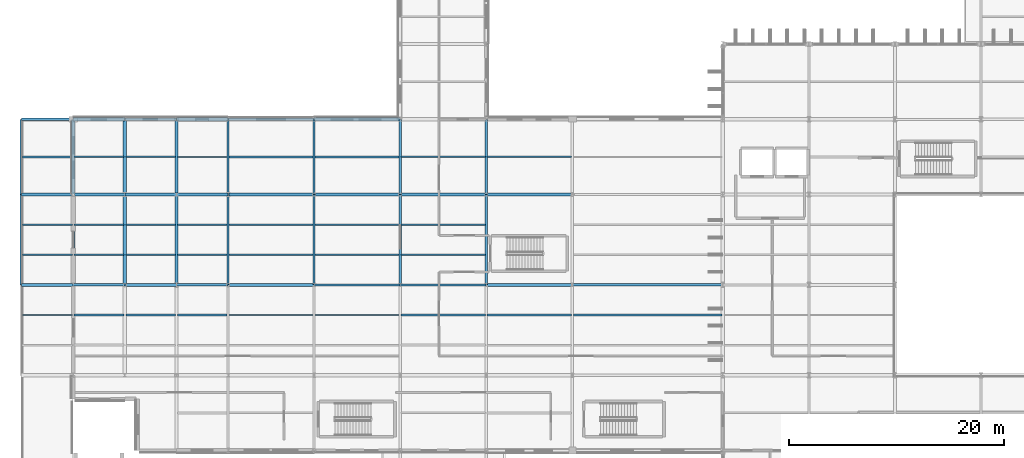
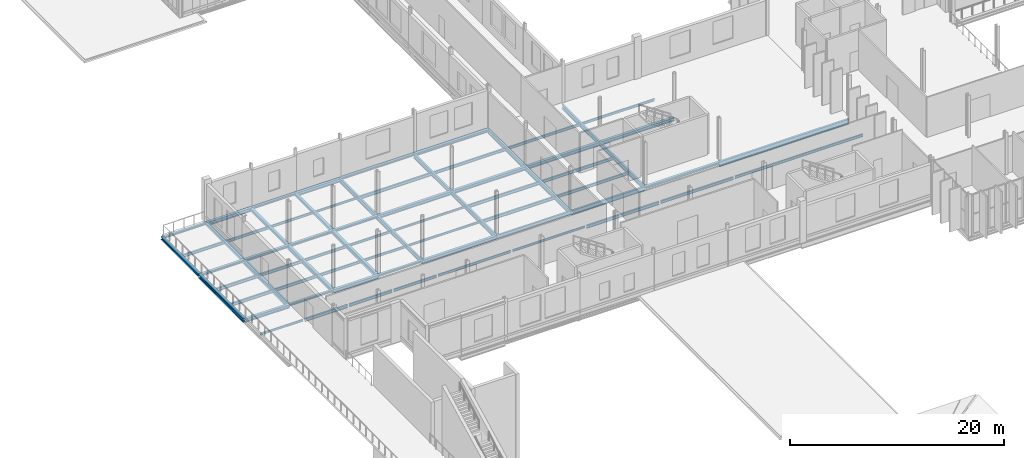
# One storey, part 35 of 120: 70 beams.
"""IFC4 building model written with IfcOpenShell, lengths in metres."""

import ifcopenshell
import ifcopenshell.guid

model = None  # the IFC model being written
_history = None  # IfcOwnerHistory: only IFC2X3 demands one
_inside = {}  # id of a spatial element -> (the spatial element, [elements in it])
_under = {}  # id of a project, library or spatial element -> (it, [spatial elements below it])
_declared = {}  # id of a project -> (the project, [libraries it declares])
_typed = {}  # id of a type object -> (the type object, [elements of that type])
_made_of = {}  # id of a material, layer set ... -> (it, [elements and type objects made of it])


def new_model(schema):
    """Start an empty IFC model of exactly this schema.

    Asked for "IFC4X3", IfcOpenShell would pick the latest addendum, in which some entities
    have other attributes; the version numbers below select the first issue.
    IFC2X3 requires an IfcOwnerHistory on every rooted entity: one is made here for all.
    """
    global model, _history
    if schema == "IFC4X3":
        model = ifcopenshell.file(schema_version=(4, 3, 0, 0))
    else:
        model = ifcopenshell.file(schema=schema)
    _inside.clear()
    _under.clear()
    _declared.clear()
    _typed.clear()
    _made_of.clear()
    _history = None
    if model.schema == "IFC2X3":
        org = make("IfcOrganization", Name="unknown")
        user = make(
            "IfcPersonAndOrganization",
            ThePerson=make("IfcPerson", FamilyName="unknown"),
            TheOrganization=org,
        )
        app = make(
            "IfcApplication",
            ApplicationDeveloper=org,
            Version="unknown",
            ApplicationFullName="unknown",
            ApplicationIdentifier="unknown",
        )
        _history = make(
            "IfcOwnerHistory",
            OwningUser=user,
            OwningApplication=app,
            ChangeAction="ADDED",
            CreationDate=0,
        )
    return model


def make(cls, **values):
    """One entity of the class cls with the attributes given. An attribute that is None is left unset."""
    return model.create_entity(
        cls, **{name: value for name, value in values.items() if value is not None}
    )


def rooted(cls, **values):
    """An entity with a GlobalId (a new one), such as an element, a storey or a relation."""
    return make(cls, GlobalId=ifcopenshell.guid.new(), OwnerHistory=_history, **values)


def si_unit(unit_type, name, prefix=None):
    """IfcSIUnit, for example si_unit("LENGTHUNIT", "METRE", prefix="MILLI")."""
    return make("IfcSIUnit", UnitType=unit_type, Prefix=prefix, Name=name)


def assignment(units):
    """IfcUnitAssignment: the units of a project."""
    return None if units is None else make("IfcUnitAssignment", Units=units)


def point(xyz):
    """IfcCartesianPoint."""
    return None if xyz is None else make("IfcCartesianPoint", Coordinates=xyz)


def direction(xyz):
    """IfcDirection."""
    return None if xyz is None else make("IfcDirection", DirectionRatios=xyz)


def frame(location, z_axis=None, x_axis=None):
    """IfcAxis2Placement3D, a coordinate frame: its origin and axes. An axis left out is left unset."""
    return make(
        "IfcAxis2Placement3D",
        Location=point(location),
        Axis=direction(z_axis),
        RefDirection=direction(x_axis),
    )


def frame_2d(location, x_axis=None):
    """IfcAxis2Placement2D, a coordinate frame in the plane: its origin and x axis."""
    return make(
        "IfcAxis2Placement2D", Location=point(location), RefDirection=direction(x_axis)
    )


def origin():
    """The frame at (0, 0, 0) with its axes left unset."""
    return frame((0.0, 0.0, 0.0))


def origin_2d():
    """The frame at (0, 0) in the plane with its x axis left unset."""
    return frame_2d((0.0, 0.0))


def place(relative_to, where):
    """IfcLocalPlacement: puts the frame where relative to a parent placement (None: the world)."""
    return make(
        "IfcLocalPlacement", PlacementRelTo=relative_to, RelativePlacement=where
    )


def context(
    kind, dimensions, precision=None, world=None, true_north=None, identifier=None
):
    """IfcGeometricRepresentationContext, for example the 3D "Model" context."""
    return make(
        "IfcGeometricRepresentationContext",
        ContextIdentifier=identifier,
        ContextType=kind,
        CoordinateSpaceDimension=dimensions,
        Precision=precision,
        WorldCoordinateSystem=world,
        TrueNorth=true_north,
    )


def subcontext(parent, identifier, kind, view, scale=None):
    """IfcGeometricRepresentationSubContext, for example "Body" below "Model"."""
    return make(
        "IfcGeometricRepresentationSubContext",
        ContextIdentifier=identifier,
        ContextType=kind,
        ParentContext=parent,
        TargetScale=scale,
        TargetView=view,
    )


def project(units=None, contexts=None):
    """IfcProject with its units and contexts."""
    return rooted(
        "IfcProject",
        Name="project",
        RepresentationContexts=contexts,
        UnitsInContext=assignment(units),
    )


def spatial(cls, under=None, at=None, **own):
    """A site, building, storey or space (cls), placed at a placement, below another one or the project."""
    s = rooted(cls, ObjectPlacement=at, **own)
    if under is not None:
        _under.setdefault(under.id(), (under, []))[1].append(s)
    return s


def profile(cls, at=None, kind="AREA", **sizes):
    """A parametric profile (cls). Its sizes go by their IFC names, for example OverallWidth=200.0."""
    return make(cls, ProfileType=kind, Position=at, **sizes)


def i_section(**sizes):
    """IfcIShapeProfileDef."""
    return profile("IfcIShapeProfileDef", **sizes)


def extrude(swept, where, along, depth):
    """IfcExtrudedAreaSolid: the profile swept, set in the frame where, extruded along a direction by depth."""
    return make(
        "IfcExtrudedAreaSolid",
        SweptArea=swept,
        Position=where,
        ExtrudedDirection=direction(along),
        Depth=depth,
    )


def shape(context_of_items, identifier, shape_type, items):
    """IfcShapeRepresentation: the items that make up one representation, for example the "Body"."""
    return make(
        "IfcShapeRepresentation",
        ContextOfItems=context_of_items,
        RepresentationIdentifier=identifier,
        RepresentationType=shape_type,
        Items=items,
    )


def material(Name=None, Category=None):
    """IfcMaterial."""
    return make("IfcMaterial", Name=Name, Category=Category)


def material_profile(
    of_material, cross_section, Name=None, Category=None, Priority=None
):
    """IfcMaterialProfile: a cross section and its material."""
    return make(
        "IfcMaterialProfile",
        Name=Name,
        Material=of_material,
        Profile=cross_section,
        Priority=Priority,
        Category=Category,
    )


def profile_set(profiles, Name=None, composite=None):
    """IfcMaterialProfileSet."""
    return make(
        "IfcMaterialProfileSet",
        Name=Name,
        MaterialProfiles=profiles,
        CompositeProfile=composite,
    )


def made_of(thing, what):
    """Note that an element or type object is made of a material, layer set ...; save() writes the relation."""
    if what is not None:
        _made_of.setdefault(what.id(), (what, []))[1].append(thing)
    return thing


def type_object(cls, material=None, **own):
    """A type object (cls), such as IfcWallType, which elements share."""
    return made_of(rooted(cls, **own), material)


def element(
    cls,
    number,
    at=None,
    inside=None,
    cuts=None,
    type_object=None,
    material=None,
    context=None,
    identifier="Body",
    shape_type=None,
    held_by="IfcProductDefinitionShape",
    body=None,
    shapes=None,
    **own,
):
    """One element of the class cls, such as IfcWall. Its Tag is "e" and its number.

    at: its placement. inside: the storey or other place that contains it. cuts: it is an
    opening in that element (IfcRelVoidsElement). A single representation is given by context,
    identifier, shape_type and body (its items); several are given by shapes. held_by: the class
    of the entity that holds the representations. save() writes the other relations.
    """
    e = rooted(cls, Tag="e%d" % number, ObjectPlacement=at, **own)
    if body is not None:
        shapes = [shape(context, identifier, shape_type, body)]
    if shapes is not None:
        e.Representation = make(held_by, Representations=shapes)
    if inside is not None:
        _inside.setdefault(inside.id(), (inside, []))[1].append(e)
    if cuts is not None:
        rooted(
            "IfcRelVoidsElement", RelatingBuildingElement=cuts, RelatedOpeningElement=e
        )
    if type_object is not None:
        _typed.setdefault(type_object.id(), (type_object, []))[1].append(e)
    return made_of(e, material)


def aggregate(whole, parts):
    """IfcRelAggregates: a whole, such as a stair, and the parts it consists of."""
    return rooted("IfcRelAggregates", RelatingObject=whole, RelatedObjects=parts)


def save(model, path):
    """Write the relations noted so far, then the file.

    IfcRelAggregates (storeys below a building ...), IfcRelContainedInSpatialStructure (elements
    in a storey), IfcRelDefinesByType, IfcRelAssociatesMaterial and IfcRelDeclares: one each for
    every whole, place, type object, material and project.
    """
    for whole, parts in _under.values():
        aggregate(whole, parts)
    for where, things in _inside.values():
        rooted(
            "IfcRelContainedInSpatialStructure",
            RelatedElements=things,
            RelatingStructure=where,
        )
    for kind, things in _typed.values():
        rooted("IfcRelDefinesByType", RelatedObjects=things, RelatingType=kind)
    for what, things in _made_of.values():
        rooted("IfcRelAssociatesMaterial", RelatedObjects=things, RelatingMaterial=what)
    for by, libraries in _declared.values():
        rooted("IfcRelDeclares", RelatingContext=by, RelatedDefinitions=libraries)
    model.write(path)


model = new_model("IFC4")

# Units and contexts
model_context = context("Model", 3, precision=1e-05, world=origin(), true_north=direction((0.0, 1.0)))
body_context = subcontext(model_context, "Body", "Model", "MODEL_VIEW")
ifc_project = project(units=[si_unit("LENGTHUNIT", "METRE"), si_unit("AREAUNIT", "SQUARE_METRE"), si_unit("VOLUMEUNIT", "CUBIC_METRE"), si_unit("PLANEANGLEUNIT", "RADIAN"), si_unit("MASSUNIT", "GRAM", prefix="KILO")], contexts=[model_context])

# Site, building, storey
site_placement = place(None, origin())
site = spatial("IfcSite", under=ifc_project, at=site_placement, CompositionType="ELEMENT")
building_placement = place(site_placement, origin())
building = spatial("IfcBuilding", under=site, at=building_placement, Name="Vekula Escarpment Museum", CompositionType="ELEMENT")
storey_placement = place(building_placement, frame((0.0, 0.0, 13.199951171875)))
storey = spatial("IfcBuildingStorey", under=building, at=storey_placement, Name="L03", CompositionType="ELEMENT", Elevation=13.199951171875)

# Beams
ifc_material_1 = material(Name="Steel S355", Category="steel")
ifc_material_profile_1 = material_profile(ifc_material_1, i_section(OverallWidth=0.280029296875, OverallDepth=0.280029296875, WebThickness=0.010498046875, FlangeThickness=0.01806640625, FilletRadius=0.02392578125, at=origin_2d()), Name="HEB 280")
ifc_profile_set_1 = profile_set([ifc_material_profile_1], Name="Steel S355")
beam_type_1 = type_object("IfcBeamType", Name="BM-GIRD-HEB280", PredefinedType="BEAM", material=ifc_profile_set_1)
beam_1_placement = place(storey_placement, frame((48.0, 68.0, -0.389892578125), z_axis=(1.0, 0.0, 0.0), x_axis=(0.0, 1.0, 0.0)))
element("IfcBeam", 1, at=beam_1_placement, inside=storey, type_object=beam_type_1, Name="Beam X L03 1363", PredefinedType="BEAM", context=body_context, shape_type="SweptSolid", body=[
    extrude(i_section(OverallWidth=0.280029296875, OverallDepth=0.280029296875, WebThickness=0.010498046875, FlangeThickness=0.01806640625, FilletRadius=0.02392578125, at=origin_2d()), origin(), (0.0, 0.0, 1.0), 8.0),
])
ifc_material_2 = material(Name="Steel S355", Category="steel")
ifc_material_profile_2 = material_profile(ifc_material_2, i_section(OverallWidth=0.300048828125, OverallDepth=0.300048828125, WebThickness=0.010986328125, FlangeThickness=0.01904296875, FilletRadius=0.027099609375, at=origin_2d()), Name="HEB 300")
ifc_profile_set_2 = profile_set([ifc_material_profile_2], Name="Steel S355")
beam_type_2 = type_object("IfcBeamType", Name="BM-GIRD-HEB300", PredefinedType="BEAM", material=ifc_profile_set_2)
beam_2_placement = place(storey_placement, frame((32.0, 83.39990234375, -0.39990234375), z_axis=(1.0, 0.0, 0.0), x_axis=(0.0, 1.0, 0.0)))
element("IfcBeam", 2, at=beam_2_placement, inside=storey, type_object=beam_type_2, Name="Beam X L03 1402", PredefinedType="BEAM", context=body_context, shape_type="SweptSolid", body=[
    extrude(i_section(OverallWidth=0.300048828125, OverallDepth=0.300048828125, WebThickness=0.010986328125, FlangeThickness=0.01904296875, FilletRadius=0.027099609375, at=origin_2d()), origin(), (0.0, 0.0, 1.0), 8.0),
])
ifc_material_3 = material(Name="Steel S355", Category="steel")
ifc_material_profile_3 = material_profile(ifc_material_3, i_section(OverallWidth=0.300048828125, OverallDepth=0.39990234375, WebThickness=0.013427734375, FlangeThickness=0.02392578125, FilletRadius=0.027099609375, at=origin_2d()), Name="HEB 400")
ifc_profile_set_3 = profile_set([ifc_material_profile_3], Name="Steel S355")
beam_type_3 = type_object("IfcBeamType", Name="BM-GIRD-HEB400", PredefinedType="BEAM", material=ifc_profile_set_3)
for number, where, z_axis, x_axis, name in (
    (3, (4.800048828125, 68.0, -0.449951171875), (1.0, 0.0, 0.0), (0.0, 1.0, 0.0), "Beam X L03 1356"),
    (4, (14.39990234375, 68.0, -0.449951171875), (1.0, 0.0, 0.0), (0.0, 1.0, 0.0), "Beam X L03 1358"),
):
    element("IfcBeam", number, at=place(storey_placement, frame(where, z_axis=z_axis, x_axis=x_axis)), inside=storey, type_object=beam_type_3, Name=name, PredefinedType="BEAM", context=body_context, shape_type="SweptSolid", body=[
        extrude(i_section(OverallWidth=0.300048828125, OverallDepth=0.39990234375, WebThickness=0.013427734375, FlangeThickness=0.02392578125, FilletRadius=0.027099609375, at=origin_2d()), origin(), (0.0, 0.0, 1.0), 4.800048828125),
    ])
beam_3_placement = place(storey_placement, frame((24.0, 68.0, -0.449951171875), z_axis=(1.0, 0.0, 0.0), x_axis=(0.0, 1.0, 0.0)))
element("IfcBeam", 5, at=beam_3_placement, inside=storey, type_object=beam_type_3, Name="Beam X L03 1360", PredefinedType="BEAM", context=body_context, shape_type="SweptSolid", body=[
    extrude(i_section(OverallWidth=0.300048828125, OverallDepth=0.39990234375, WebThickness=0.013427734375, FlangeThickness=0.02392578125, FilletRadius=0.027099609375, at=origin_2d()), origin(), (0.0, 0.0, 1.0), 8.0),
])
beam_4_placement = place(storey_placement, frame((9.60009765625, 83.39990234375, -0.449951171875), z_axis=(1.0, 0.0, 0.0), x_axis=(0.0, 1.0, 0.0)))
element("IfcBeam", 6, at=beam_4_placement, inside=storey, type_object=beam_type_3, Name="Beam X L03 1398", PredefinedType="BEAM", context=body_context, shape_type="SweptSolid", body=[
    extrude(i_section(OverallWidth=0.300048828125, OverallDepth=0.39990234375, WebThickness=0.013427734375, FlangeThickness=0.02392578125, FilletRadius=0.027099609375, at=origin_2d()), origin(), (0.0, 0.0, 1.0), 4.7998046875),
])
beam_5_placement = place(storey_placement, frame((19.199951171875, 83.39990234375, -0.449951171875), z_axis=(1.0, 0.0, 0.0), x_axis=(0.0, 1.0, 0.0)))
element("IfcBeam", 7, at=beam_5_placement, inside=storey, type_object=beam_type_3, Name="Beam X L03 1400", PredefinedType="BEAM", context=body_context, shape_type="SweptSolid", body=[
    extrude(i_section(OverallWidth=0.300048828125, OverallDepth=0.39990234375, WebThickness=0.013427734375, FlangeThickness=0.02392578125, FilletRadius=0.027099609375, at=origin_2d()), origin(), (0.0, 0.0, 1.0), 4.800048828125),
])
ifc_material_4 = material(Name="Steel S355", Category="steel")
ifc_material_profile_4 = material_profile(ifc_material_4, i_section(OverallWidth=0.179931640625, OverallDepth=0.39990234375, WebThickness=0.008544921875, FlangeThickness=0.013427734375, FilletRadius=0.02099609375, at=origin_2d()), Name="IPE 400")
ifc_profile_set_4 = profile_set([ifc_material_profile_4], Name="Steel S355")
beam_type_4 = type_object("IfcBeamType", Name="BM-GIRD-IPE400", PredefinedType="BEAM", material=ifc_profile_set_4)
beam_6_placement = place(storey_placement, frame((32.0, 68.0, -0.449951171875), z_axis=(1.0, 0.0, 0.0), x_axis=(0.0, 1.0, 0.0)))
element("IfcBeam", 8, at=beam_6_placement, inside=storey, type_object=beam_type_4, Name="Beam X L03 1361", PredefinedType="BEAM", context=body_context, shape_type="SweptSolid", body=[
    extrude(i_section(OverallWidth=0.179931640625, OverallDepth=0.39990234375, WebThickness=0.008544921875, FlangeThickness=0.013427734375, FilletRadius=0.02099609375, at=origin_2d()), origin(), (0.0, 0.0, 1.0), 8.0),
])
ifc_material_5 = material(Name="Steel S355", Category="steel")
ifc_material_profile_5 = material_profile(ifc_material_5, i_section(OverallWidth=0.199951171875, OverallDepth=0.5, WebThickness=0.01025390625, FlangeThickness=0.01611328125, FilletRadius=0.02099609375, at=origin_2d()), Name="IPE 500")
ifc_profile_set_5 = profile_set([ifc_material_profile_5], Name="Steel S355")
beam_type_5 = type_object("IfcBeamType", Name="BM-GIRD-IPE500", PredefinedType="BEAM", material=ifc_profile_set_5)
beam_7_placement = place(storey_placement, frame((40.0, 68.0, -0.5), z_axis=(1.0, 0.0, 0.0), x_axis=(0.0, 1.0, 0.0)))
element("IfcBeam", 9, at=beam_7_placement, inside=storey, type_object=beam_type_5, Name="Beam X L03 1362", PredefinedType="BEAM", context=body_context, shape_type="SweptSolid", body=[
    extrude(i_section(OverallWidth=0.199951171875, OverallDepth=0.5, WebThickness=0.01025390625, FlangeThickness=0.01611328125, FilletRadius=0.02099609375, at=origin_2d()), origin(), (0.0, 0.0, 1.0), 8.0),
])
beam_8_placement = place(storey_placement, frame((24.0, 68.0, -0.5), z_axis=(0.0, 1.0, 0.0), x_axis=(-1.0, 0.0, 0.0)))
element("IfcBeam", 10, at=beam_8_placement, inside=storey, type_object=beam_type_5, Name="Beam Y L03 1497", PredefinedType="BEAM", context=body_context, shape_type="SweptSolid", body=[
    extrude(i_section(OverallWidth=0.199951171875, OverallDepth=0.5, WebThickness=0.01025390625, FlangeThickness=0.01611328125, FilletRadius=0.02099609375, at=origin_2d()), origin(), (0.0, 0.0, 1.0), 8.39990234375),
])
beam_9_placement = place(storey_placement, frame((24.0, 76.39990234375, -0.5), z_axis=(0.0, 1.0, 0.0), x_axis=(-1.0, 0.0, 0.0)))
element("IfcBeam", 11, at=beam_9_placement, inside=storey, type_object=beam_type_5, Name="Beam Y L03 1498", PredefinedType="BEAM", context=body_context, shape_type="SweptSolid", body=[
    extrude(i_section(OverallWidth=0.199951171875, OverallDepth=0.5, WebThickness=0.01025390625, FlangeThickness=0.01611328125, FilletRadius=0.02099609375, at=origin_2d()), origin(), (0.0, 0.0, 1.0), 7.0),
])
beam_10_placement = place(storey_placement, frame((32.0, 68.0, -0.5), z_axis=(0.0, 1.0, 0.0), x_axis=(-1.0, 0.0, 0.0)))
element("IfcBeam", 12, at=beam_10_placement, inside=storey, type_object=beam_type_5, Name="Beam Y L03 1507", PredefinedType="BEAM", context=body_context, shape_type="SweptSolid", body=[
    extrude(i_section(OverallWidth=0.199951171875, OverallDepth=0.5, WebThickness=0.01025390625, FlangeThickness=0.01611328125, FilletRadius=0.02099609375, at=origin_2d()), origin(), (0.0, 0.0, 1.0), 8.39990234375),
])
beam_11_placement = place(storey_placement, frame((32.0, 76.39990234375, -0.5), z_axis=(0.0, 1.0, 0.0), x_axis=(-1.0, 0.0, 0.0)))
element("IfcBeam", 13, at=beam_11_placement, inside=storey, type_object=beam_type_5, Name="Beam Y L03 1508", PredefinedType="BEAM", context=body_context, shape_type="SweptSolid", body=[
    extrude(i_section(OverallWidth=0.199951171875, OverallDepth=0.5, WebThickness=0.01025390625, FlangeThickness=0.01611328125, FilletRadius=0.02099609375, at=origin_2d()), origin(), (0.0, 0.0, 1.0), 7.0),
])
beam_12_placement = place(storey_placement, frame((40.0, 68.0, -0.5), z_axis=(0.0, 1.0, 0.0), x_axis=(-1.0, 0.0, 0.0)))
element("IfcBeam", 14, at=beam_12_placement, inside=storey, type_object=beam_type_5, Name="Beam Y L03 1520", PredefinedType="BEAM", context=body_context, shape_type="SweptSolid", body=[
    extrude(i_section(OverallWidth=0.199951171875, OverallDepth=0.5, WebThickness=0.01025390625, FlangeThickness=0.01611328125, FilletRadius=0.02099609375, at=origin_2d()), origin(), (0.0, 0.0, 1.0), 8.39990234375),
])
beam_13_placement = place(storey_placement, frame((40.0, 76.39990234375, -0.5), z_axis=(0.0, 1.0, 0.0), x_axis=(-1.0, 0.0, 0.0)))
element("IfcBeam", 15, at=beam_13_placement, inside=storey, type_object=beam_type_5, Name="Beam Y L03 1521", PredefinedType="BEAM", context=body_context, shape_type="SweptSolid", body=[
    extrude(i_section(OverallWidth=0.199951171875, OverallDepth=0.5, WebThickness=0.01025390625, FlangeThickness=0.01611328125, FilletRadius=0.02099609375, at=origin_2d()), origin(), (0.0, 0.0, 1.0), 7.0),
])
beam_14_placement = place(storey_placement, frame((48.0, 68.0, -0.5), z_axis=(0.0, 1.0, 0.0), x_axis=(-1.0, 0.0, 0.0)))
element("IfcBeam", 16, at=beam_14_placement, inside=storey, type_object=beam_type_5, Name="Beam Y L03 1538", PredefinedType="BEAM", context=body_context, shape_type="SweptSolid", body=[
    extrude(i_section(OverallWidth=0.199951171875, OverallDepth=0.5, WebThickness=0.01025390625, FlangeThickness=0.01611328125, FilletRadius=0.02099609375, at=origin_2d()), origin(), (0.0, 0.0, 1.0), 8.39990234375),
])
beam_15_placement = place(storey_placement, frame((48.0, 76.39990234375, -0.5), z_axis=(0.0, 1.0, 0.0), x_axis=(-1.0, 0.0, 0.0)))
element("IfcBeam", 17, at=beam_15_placement, inside=storey, type_object=beam_type_5, Name="Beam Y L03 1539", PredefinedType="BEAM", context=body_context, shape_type="SweptSolid", body=[
    extrude(i_section(OverallWidth=0.199951171875, OverallDepth=0.5, WebThickness=0.01025390625, FlangeThickness=0.01611328125, FilletRadius=0.02099609375, at=origin_2d()), origin(), (0.0, 0.0, 1.0), 7.0),
])
ifc_material_6 = material(Name="Steel S355", Category="steel")
ifc_material_profile_6 = material_profile(ifc_material_6, i_section(OverallWidth=0.219970703125, OverallDepth=0.60009765625, WebThickness=0.011962890625, FlangeThickness=0.01904296875, FilletRadius=0.02392578125, at=origin_2d()), Name="IPE 600")
ifc_profile_set_6 = profile_set([ifc_material_profile_6], Name="Steel S355")
beam_type_6 = type_object("IfcBeamType", Name="BM-GIRD-IPE600", PredefinedType="BEAM", material=ifc_profile_set_6)
beam_16_placement = place(storey_placement, frame((56.0, 68.0, -0.550048828125), z_axis=(1.0, 0.0, 0.0), x_axis=(0.0, 1.0, 0.0)))
element("IfcBeam", 18, at=beam_16_placement, inside=storey, type_object=beam_type_6, Name="Beam X L03 1364", PredefinedType="BEAM", context=body_context, shape_type="SweptSolid", body=[
    extrude(i_section(OverallWidth=0.219970703125, OverallDepth=0.60009765625, WebThickness=0.011962890625, FlangeThickness=0.01904296875, FilletRadius=0.02392578125, at=origin_2d()), origin(), (0.0, 0.0, 1.0), 14.0),
])
ifc_material_7 = material(Name="Steel S355", Category="steel")
ifc_material_profile_7 = material_profile(ifc_material_7, i_section(OverallWidth=0.1201171875, OverallDepth=0.239990234375, WebThickness=0.006103515625, FlangeThickness=0.009765625, FilletRadius=0.014892578125, at=origin_2d()), Name="IPE 240")
ifc_profile_set_7 = profile_set([ifc_material_profile_7], Name="Steel S355")
beam_type_7 = type_object("IfcBeamType", Name="BM-JST-IPE240", PredefinedType="JOIST", material=ifc_profile_set_7)
beam_17_placement = place(storey_placement, frame((4.889892578125, 65.199951171875, -0.369873046875), z_axis=(1.0, 0.0, 0.0), x_axis=(0.0, 1.0, 0.0)))
element("IfcBeam", 19, at=beam_17_placement, inside=storey, type_object=beam_type_7, Name="Secondary Joist L03 0887", PredefinedType="JOIST", context=body_context, shape_type="SweptSolid", body=[
    extrude(i_section(OverallWidth=0.1201171875, OverallDepth=0.239990234375, WebThickness=0.006103515625, FlangeThickness=0.009765625, FilletRadius=0.014892578125, at=origin_2d()), origin(), (0.0, 0.0, 1.0), 4.6201171875),
])
beam_18_placement = place(storey_placement, frame((19.2900390625, 79.89990234375, -0.369873046875), z_axis=(1.0, 0.0, 0.0), x_axis=(0.0, 1.0, 0.0)))
element("IfcBeam", 20, at=beam_18_placement, inside=storey, type_object=beam_type_7, Name="Secondary Joist L03 0910", PredefinedType="JOIST", context=body_context, shape_type="SweptSolid", body=[
    extrude(i_section(OverallWidth=0.1201171875, OverallDepth=0.239990234375, WebThickness=0.006103515625, FlangeThickness=0.009765625, FilletRadius=0.014892578125, at=origin_2d()), origin(), (0.0, 0.0, 1.0), 4.619873046875),
])
for number, where, z_axis, x_axis, name in (
    (21, (24.090087890625, 70.800048828125, -0.369873046875), (1.0, 0.0, 0.0), (0.0, 1.0, 0.0), "Secondary Joist L03 0922"),
    (22, (24.090087890625, 73.60009765625, -0.369873046875), (1.0, 0.0, 0.0), (0.0, 1.0, 0.0), "Secondary Joist L03 0923"),
    (23, (32.090087890625, 65.199951171875, -0.369873046875), (1.0, 0.0, 0.0), (0.0, 1.0, 0.0), "Secondary Joist L03 0936"),
):
    element("IfcBeam", number, at=place(storey_placement, frame(where, z_axis=z_axis, x_axis=x_axis)), inside=storey, type_object=beam_type_7, Name=name, PredefinedType="JOIST", context=body_context, shape_type="SweptSolid", body=[
        extrude(i_section(OverallWidth=0.1201171875, OverallDepth=0.239990234375, WebThickness=0.006103515625, FlangeThickness=0.009765625, FilletRadius=0.014892578125, at=origin_2d()), origin(), (0.0, 0.0, 1.0), 7.81982421875),
    ])
ifc_material_8 = material(Name="Steel S355", Category="steel")
ifc_material_profile_8 = material_profile(ifc_material_8, i_section(OverallWidth=0.135009765625, OverallDepth=0.27001953125, WebThickness=0.006591796875, FlangeThickness=0.01025390625, FilletRadius=0.014892578125, at=origin_2d()), Name="IPE 270")
ifc_profile_set_8 = profile_set([ifc_material_profile_8], Name="Steel S355")
beam_type_8 = type_object("IfcBeamType", Name="BM-JST-IPE270", PredefinedType="JOIST", material=ifc_profile_set_8)
beam_19_placement = place(storey_placement, frame((14.489990234375, 79.89990234375, -0.385009765625), z_axis=(1.0, 0.0, 0.0), x_axis=(0.0, 1.0, 0.0)))
element("IfcBeam", 24, at=beam_19_placement, inside=storey, type_object=beam_type_8, Name="Secondary Joist L03 0900", PredefinedType="JOIST", context=body_context, shape_type="SweptSolid", body=[
    extrude(i_section(OverallWidth=0.135009765625, OverallDepth=0.27001953125, WebThickness=0.006591796875, FlangeThickness=0.01025390625, FilletRadius=0.014892578125, at=origin_2d()), origin(), (0.0, 0.0, 1.0), 4.6201171875),
])
for number, where, z_axis, x_axis, name in (
    (25, (19.2900390625, 70.800048828125, -0.385009765625), (1.0, 0.0, 0.0), (0.0, 1.0, 0.0), "Secondary Joist L03 0908"),
    (26, (19.2900390625, 73.60009765625, -0.385009765625), (1.0, 0.0, 0.0), (0.0, 1.0, 0.0), "Secondary Joist L03 0909"),
):
    element("IfcBeam", number, at=place(storey_placement, frame(where, z_axis=z_axis, x_axis=x_axis)), inside=storey, type_object=beam_type_8, Name=name, PredefinedType="JOIST", context=body_context, shape_type="SweptSolid", body=[
        extrude(i_section(OverallWidth=0.135009765625, OverallDepth=0.27001953125, WebThickness=0.006591796875, FlangeThickness=0.01025390625, FilletRadius=0.014892578125, at=origin_2d()), origin(), (0.0, 0.0, 1.0), 4.619873046875),
    ])
for number, where, z_axis, x_axis, name in (
    (27, (24.090087890625, 65.199951171875, -0.385009765625), (1.0, 0.0, 0.0), (0.0, 1.0, 0.0), "Secondary Joist L03 0921"),
    (28, (48.090087890625, 79.89990234375, -0.385009765625), (1.0, 0.0, 0.0), (0.0, 1.0, 0.0), "Secondary Joist L03 0981"),
):
    element("IfcBeam", number, at=place(storey_placement, frame(where, z_axis=z_axis, x_axis=x_axis)), inside=storey, type_object=beam_type_8, Name=name, PredefinedType="JOIST", context=body_context, shape_type="SweptSolid", body=[
        extrude(i_section(OverallWidth=0.135009765625, OverallDepth=0.27001953125, WebThickness=0.006591796875, FlangeThickness=0.01025390625, FilletRadius=0.014892578125, at=origin_2d()), origin(), (0.0, 0.0, 1.0), 7.81982421875),
    ])
ifc_material_9 = material(Name="Steel S355", Category="steel")
ifc_material_profile_9 = material_profile(ifc_material_9, i_section(OverallWidth=0.14990234375, OverallDepth=0.300048828125, WebThickness=0.007080078125, FlangeThickness=0.0107421875, FilletRadius=0.014892578125, at=origin_2d()), Name="IPE 300")
ifc_profile_set_9 = profile_set([ifc_material_profile_9], Name="Steel S355")
beam_type_9 = type_object("IfcBeamType", Name="BM-JST-IPE300", PredefinedType="JOIST", material=ifc_profile_set_9)
for number, where, z_axis, x_axis, name in (
    (29, (9.68994140625, 79.89990234375, -0.39990234375), (1.0, 0.0, 0.0), (0.0, 1.0, 0.0), "Secondary Joist L03 0895"),
    (30, (14.489990234375, 70.800048828125, -0.39990234375), (1.0, 0.0, 0.0), (0.0, 1.0, 0.0), "Secondary Joist L03 0898"),
    (31, (14.489990234375, 73.60009765625, -0.39990234375), (1.0, 0.0, 0.0), (0.0, 1.0, 0.0), "Secondary Joist L03 0899"),
):
    element("IfcBeam", number, at=place(storey_placement, frame(where, z_axis=z_axis, x_axis=x_axis)), inside=storey, type_object=beam_type_9, Name=name, PredefinedType="JOIST", context=body_context, shape_type="SweptSolid", body=[
        extrude(i_section(OverallWidth=0.14990234375, OverallDepth=0.300048828125, WebThickness=0.007080078125, FlangeThickness=0.0107421875, FilletRadius=0.014892578125, at=origin_2d()), origin(), (0.0, 0.0, 1.0), 4.6201171875),
    ])
beam_20_placement = place(storey_placement, frame((19.2900390625, 65.199951171875, -0.39990234375), z_axis=(1.0, 0.0, 0.0), x_axis=(0.0, 1.0, 0.0)))
element("IfcBeam", 32, at=beam_20_placement, inside=storey, type_object=beam_type_9, Name="Secondary Joist L03 0907", PredefinedType="JOIST", context=body_context, shape_type="SweptSolid", body=[
    extrude(i_section(OverallWidth=0.14990234375, OverallDepth=0.300048828125, WebThickness=0.007080078125, FlangeThickness=0.0107421875, FilletRadius=0.014892578125, at=origin_2d()), origin(), (0.0, 0.0, 1.0), 4.619873046875),
])
beam_21_placement = place(storey_placement, frame((40.090087890625, 79.89990234375, -0.39990234375), z_axis=(1.0, 0.0, 0.0), x_axis=(0.0, 1.0, 0.0)))
element("IfcBeam", 33, at=beam_21_placement, inside=storey, type_object=beam_type_9, Name="Secondary Joist L03 0960", PredefinedType="JOIST", context=body_context, shape_type="SweptSolid", body=[
    extrude(i_section(OverallWidth=0.14990234375, OverallDepth=0.300048828125, WebThickness=0.007080078125, FlangeThickness=0.0107421875, FilletRadius=0.014892578125, at=origin_2d()), origin(), (0.0, 0.0, 1.0), 7.81982421875),
])
beam_22_placement = place(storey_placement, frame((56.090087890625, 65.199951171875, -0.39990234375), z_axis=(1.0, 0.0, 0.0), x_axis=(0.0, 1.0, 0.0)))
element("IfcBeam", 34, at=beam_22_placement, inside=storey, type_object=beam_type_9, Name="Secondary Joist L03 0987", PredefinedType="JOIST", context=body_context, shape_type="SweptSolid", body=[
    extrude(i_section(OverallWidth=0.14990234375, OverallDepth=0.300048828125, WebThickness=0.007080078125, FlangeThickness=0.0107421875, FilletRadius=0.014892578125, at=origin_2d()), origin(), (0.0, 0.0, 1.0), 13.81982421875),
])
ifc_material_10 = material(Name="Steel S355", Category="steel")
ifc_material_profile_10 = material_profile(ifc_material_10, i_section(OverallWidth=0.159912109375, OverallDepth=0.330078125, WebThickness=0.007568359375, FlangeThickness=0.011474609375, FilletRadius=0.01806640625, at=origin_2d()), Name="IPE 330")
ifc_profile_set_10 = profile_set([ifc_material_profile_10], Name="Steel S355")
beam_type_10 = type_object("IfcBeamType", Name="BM-JST-IPE330", PredefinedType="JOIST", material=ifc_profile_set_10)
for number, where, z_axis, x_axis, name in (
    (35, (4.889892578125, 79.89990234375, -0.4150390625), (1.0, 0.0, 0.0), (0.0, 1.0, 0.0), "Secondary Joist L03 0890"),
    (36, (9.68994140625, 70.800048828125, -0.4150390625), (1.0, 0.0, 0.0), (0.0, 1.0, 0.0), "Secondary Joist L03 0893"),
    (37, (9.68994140625, 73.60009765625, -0.4150390625), (1.0, 0.0, 0.0), (0.0, 1.0, 0.0), "Secondary Joist L03 0894"),
    (38, (14.489990234375, 65.199951171875, -0.4150390625), (1.0, 0.0, 0.0), (0.0, 1.0, 0.0), "Secondary Joist L03 0897"),
):
    element("IfcBeam", number, at=place(storey_placement, frame(where, z_axis=z_axis, x_axis=x_axis)), inside=storey, type_object=beam_type_10, Name=name, PredefinedType="JOIST", context=body_context, shape_type="SweptSolid", body=[
        extrude(i_section(OverallWidth=0.159912109375, OverallDepth=0.330078125, WebThickness=0.007568359375, FlangeThickness=0.011474609375, FilletRadius=0.01806640625, at=origin_2d()), origin(), (0.0, 0.0, 1.0), 4.6201171875),
    ])
for number, where, z_axis, x_axis, name in (
    (39, (32.090087890625, 79.89990234375, -0.4150390625), (1.0, 0.0, 0.0), (0.0, 1.0, 0.0), "Secondary Joist L03 0939"),
    (40, (40.090087890625, 70.800048828125, -0.4150390625), (1.0, 0.0, 0.0), (0.0, 1.0, 0.0), "Secondary Joist L03 0958"),
    (41, (40.090087890625, 73.60009765625, -0.4150390625), (1.0, 0.0, 0.0), (0.0, 1.0, 0.0), "Secondary Joist L03 0959"),
    (42, (48.090087890625, 65.199951171875, -0.4150390625), (1.0, 0.0, 0.0), (0.0, 1.0, 0.0), "Secondary Joist L03 0980"),
):
    element("IfcBeam", number, at=place(storey_placement, frame(where, z_axis=z_axis, x_axis=x_axis)), inside=storey, type_object=beam_type_10, Name=name, PredefinedType="JOIST", context=body_context, shape_type="SweptSolid", body=[
        extrude(i_section(OverallWidth=0.159912109375, OverallDepth=0.330078125, WebThickness=0.007568359375, FlangeThickness=0.011474609375, FilletRadius=0.01806640625, at=origin_2d()), origin(), (0.0, 0.0, 1.0), 7.81982421875),
    ])
ifc_material_11 = material(Name="Steel S355", Category="steel")
ifc_material_profile_11 = material_profile(ifc_material_11, i_section(OverallWidth=0.169921875, OverallDepth=0.360107421875, WebThickness=0.008056640625, FlangeThickness=0.0126953125, FilletRadius=0.01806640625, at=origin_2d()), Name="IPE 360")
ifc_profile_set_11 = profile_set([ifc_material_profile_11], Name="Steel S355")
beam_type_11 = type_object("IfcBeamType", Name="BM-JST-IPE360", PredefinedType="JOIST", material=ifc_profile_set_11)
for number, where, z_axis, x_axis, name in (
    (43, (4.889892578125, 70.800048828125, -0.429931640625), (1.0, 0.0, 0.0), (0.0, 1.0, 0.0), "Secondary Joist L03 0888"),
    (44, (4.889892578125, 73.60009765625, -0.429931640625), (1.0, 0.0, 0.0), (0.0, 1.0, 0.0), "Secondary Joist L03 0889"),
    (45, (9.68994140625, 65.199951171875, -0.429931640625), (1.0, 0.0, 0.0), (0.0, 1.0, 0.0), "Secondary Joist L03 0892"),
):
    element("IfcBeam", number, at=place(storey_placement, frame(where, z_axis=z_axis, x_axis=x_axis)), inside=storey, type_object=beam_type_11, Name=name, PredefinedType="JOIST", context=body_context, shape_type="SweptSolid", body=[
        extrude(i_section(OverallWidth=0.169921875, OverallDepth=0.360107421875, WebThickness=0.008056640625, FlangeThickness=0.0126953125, FilletRadius=0.01806640625, at=origin_2d()), origin(), (0.0, 0.0, 1.0), 4.6201171875),
    ])
for number, where, z_axis, x_axis, name in (
    (46, (24.090087890625, 79.89990234375, -0.429931640625), (1.0, 0.0, 0.0), (0.0, 1.0, 0.0), "Secondary Joist L03 0924"),
    (47, (32.090087890625, 70.800048828125, -0.429931640625), (1.0, 0.0, 0.0), (0.0, 1.0, 0.0), "Secondary Joist L03 0937"),
    (48, (32.090087890625, 73.60009765625, -0.429931640625), (1.0, 0.0, 0.0), (0.0, 1.0, 0.0), "Secondary Joist L03 0938"),
    (49, (40.090087890625, 65.199951171875, -0.429931640625), (1.0, 0.0, 0.0), (0.0, 1.0, 0.0), "Secondary Joist L03 0957"),
):
    element("IfcBeam", number, at=place(storey_placement, frame(where, z_axis=z_axis, x_axis=x_axis)), inside=storey, type_object=beam_type_11, Name=name, PredefinedType="JOIST", context=body_context, shape_type="SweptSolid", body=[
        extrude(i_section(OverallWidth=0.169921875, OverallDepth=0.360107421875, WebThickness=0.008056640625, FlangeThickness=0.0126953125, FilletRadius=0.01806640625, at=origin_2d()), origin(), (0.0, 0.0, 1.0), 7.81982421875),
    ])
ifc_material_12 = material(Name="Steel S355", Category="steel")
ifc_material_profile_12 = material_profile(ifc_material_12, i_section(OverallWidth=0.239990234375, OverallDepth=0.22998046875, WebThickness=0.007568359375, FlangeThickness=0.011962890625, FilletRadius=0.02099609375, at=origin_2d()), Name="HEA 240")
ifc_profile_set_12 = profile_set([ifc_material_profile_12], Name="Steel S355")
beam_type_12 = type_object("IfcBeamType", Name="BM-SPAN-HEA240", PredefinedType="SPANDREL", material=ifc_profile_set_12)
beam_23_placement = place(storey_placement, frame((9.60009765625, 68.0, -0.364990234375), z_axis=(1.0, 0.0, 0.0), x_axis=(0.0, 1.0, 0.0)))
element("IfcBeam", 50, at=beam_23_placement, inside=storey, type_object=beam_type_12, Name="Beam X L03 1357", PredefinedType="SPANDREL", context=body_context, shape_type="SweptSolid", body=[
    extrude(i_section(OverallWidth=0.239990234375, OverallDepth=0.22998046875, WebThickness=0.007568359375, FlangeThickness=0.011962890625, FilletRadius=0.02099609375, at=origin_2d()), origin(), (0.0, 0.0, 1.0), 4.7998046875),
])
for number, where, z_axis, x_axis, name in (
    (51, (19.199951171875, 68.0, -0.364990234375), (1.0, 0.0, 0.0), (0.0, 1.0, 0.0), "Beam X L03 1359"),
    (52, (4.800048828125, 83.39990234375, -0.364990234375), (1.0, 0.0, 0.0), (0.0, 1.0, 0.0), "Beam X L03 1397"),
    (53, (14.39990234375, 83.39990234375, -0.364990234375), (1.0, 0.0, 0.0), (0.0, 1.0, 0.0), "Beam X L03 1399"),
):
    element("IfcBeam", number, at=place(storey_placement, frame(where, z_axis=z_axis, x_axis=x_axis)), inside=storey, type_object=beam_type_12, Name=name, PredefinedType="SPANDREL", context=body_context, shape_type="SweptSolid", body=[
        extrude(i_section(OverallWidth=0.239990234375, OverallDepth=0.22998046875, WebThickness=0.007568359375, FlangeThickness=0.011962890625, FilletRadius=0.02099609375, at=origin_2d()), origin(), (0.0, 0.0, 1.0), 4.800048828125),
    ])
beam_24_placement = place(storey_placement, frame((24.0, 83.39990234375, -0.364990234375), z_axis=(1.0, 0.0, 0.0), x_axis=(0.0, 1.0, 0.0)))
element("IfcBeam", 54, at=beam_24_placement, inside=storey, type_object=beam_type_12, Name="Beam X L03 1401", PredefinedType="SPANDREL", context=body_context, shape_type="SweptSolid", body=[
    extrude(i_section(OverallWidth=0.239990234375, OverallDepth=0.22998046875, WebThickness=0.007568359375, FlangeThickness=0.011962890625, FilletRadius=0.02099609375, at=origin_2d()), origin(), (0.0, 0.0, 1.0), 8.0),
])
ifc_material_13 = material(Name="Steel S355", Category="steel")
ifc_material_profile_13 = material_profile(ifc_material_13, i_section(OverallWidth=0.280029296875, OverallDepth=0.27001953125, WebThickness=0.008056640625, FlangeThickness=0.012939453125, FilletRadius=0.02392578125, at=origin_2d()), Name="HEA 280")
ifc_profile_set_13 = profile_set([ifc_material_profile_13], Name="Steel S355")
beam_type_13 = type_object("IfcBeamType", Name="BM-SPAN-HEA280", PredefinedType="SPANDREL", material=ifc_profile_set_13)
beam_25_placement = place(storey_placement, frame((4.800048828125, 76.39990234375, -0.385009765625), z_axis=(1.0, 0.0, 0.0), x_axis=(0.0, 1.0, 0.0)))
element("IfcBeam", 55, at=beam_25_placement, inside=storey, type_object=beam_type_13, Name="Beam X L03 1375", PredefinedType="SPANDREL", context=body_context, shape_type="SweptSolid", body=[
    extrude(i_section(OverallWidth=0.280029296875, OverallDepth=0.27001953125, WebThickness=0.008056640625, FlangeThickness=0.012939453125, FilletRadius=0.02392578125, at=origin_2d()), origin(), (0.0, 0.0, 1.0), 4.800048828125),
])
beam_26_placement = place(storey_placement, frame((9.60009765625, 76.39990234375, -0.385009765625), z_axis=(1.0, 0.0, 0.0), x_axis=(0.0, 1.0, 0.0)))
element("IfcBeam", 56, at=beam_26_placement, inside=storey, type_object=beam_type_13, Name="Beam X L03 1376", PredefinedType="SPANDREL", context=body_context, shape_type="SweptSolid", body=[
    extrude(i_section(OverallWidth=0.280029296875, OverallDepth=0.27001953125, WebThickness=0.008056640625, FlangeThickness=0.012939453125, FilletRadius=0.02392578125, at=origin_2d()), origin(), (0.0, 0.0, 1.0), 4.7998046875),
])
for number, where, z_axis, x_axis, name in (
    (57, (14.39990234375, 76.39990234375, -0.385009765625), (1.0, 0.0, 0.0), (0.0, 1.0, 0.0), "Beam X L03 1377"),
    (58, (19.199951171875, 76.39990234375, -0.385009765625), (1.0, 0.0, 0.0), (0.0, 1.0, 0.0), "Beam X L03 1378"),
):
    element("IfcBeam", number, at=place(storey_placement, frame(where, z_axis=z_axis, x_axis=x_axis)), inside=storey, type_object=beam_type_13, Name=name, PredefinedType="SPANDREL", context=body_context, shape_type="SweptSolid", body=[
        extrude(i_section(OverallWidth=0.280029296875, OverallDepth=0.27001953125, WebThickness=0.008056640625, FlangeThickness=0.012939453125, FilletRadius=0.02392578125, at=origin_2d()), origin(), (0.0, 0.0, 1.0), 4.800048828125),
    ])
ifc_material_14 = material(Name="Steel S355", Category="steel")
ifc_material_profile_14 = material_profile(ifc_material_14, i_section(OverallWidth=0.300048828125, OverallDepth=0.2900390625, WebThickness=0.008544921875, FlangeThickness=0.013916015625, FilletRadius=0.027099609375, at=origin_2d()), Name="HEA 300")
ifc_profile_set_14 = profile_set([ifc_material_profile_14], Name="Steel S355")
beam_type_14 = type_object("IfcBeamType", Name="BM-SPAN-HEA300", PredefinedType="SPANDREL", material=ifc_profile_set_14)
for number, where, z_axis, x_axis, name in (
    (59, (4.800048828125, 76.39990234375, -0.364990234375), (0.0, 1.0, 0.0), (-1.0, 0.0, 0.0), "Beam Y L03 1478"),
    (60, (9.60009765625, 76.39990234375, -0.39501953125), (0.0, 1.0, 0.0), (-1.0, 0.0, 0.0), "Beam Y L03 1481"),
    (61, (14.39990234375, 76.39990234375, -0.39501953125), (0.0, 1.0, 0.0), (-1.0, 0.0, 0.0), "Beam Y L03 1484"),
    (62, (19.199951171875, 76.39990234375, -0.39501953125), (0.0, 1.0, 0.0), (-1.0, 0.0, 0.0), "Beam Y L03 1490"),
):
    element("IfcBeam", number, at=place(storey_placement, frame(where, z_axis=z_axis, x_axis=x_axis)), inside=storey, type_object=beam_type_14, Name=name, PredefinedType="SPANDREL", context=body_context, shape_type="SweptSolid", body=[
        extrude(i_section(OverallWidth=0.300048828125, OverallDepth=0.2900390625, WebThickness=0.008544921875, FlangeThickness=0.013916015625, FilletRadius=0.027099609375, at=origin_2d()), origin(), (0.0, 0.0, 1.0), 7.0),
    ])
ifc_material_15 = material(Name="Steel S355", Category="steel")
ifc_material_profile_15 = material_profile(ifc_material_15, i_section(OverallWidth=0.300048828125, OverallDepth=0.389892578125, WebThickness=0.010986328125, FlangeThickness=0.01904296875, FilletRadius=0.027099609375, at=origin_2d()), Name="HEA 400")
ifc_profile_set_15 = profile_set([ifc_material_profile_15], Name="Steel S355")
beam_type_15 = type_object("IfcBeamType", Name="BM-SPAN-HEA400", PredefinedType="SPANDREL", material=ifc_profile_set_15)
for number, where, z_axis, x_axis, name in (
    (63, (24.0, 76.39990234375, -0.445068359375), (1.0, 0.0, 0.0), (0.0, 1.0, 0.0), "Beam X L03 1379"),
    (64, (32.0, 76.39990234375, -0.445068359375), (1.0, 0.0, 0.0), (0.0, 1.0, 0.0), "Beam X L03 1380"),
    (65, (40.0, 76.39990234375, -0.445068359375), (1.0, 0.0, 0.0), (0.0, 1.0, 0.0), "Beam X L03 1381"),
    (66, (48.0, 76.39990234375, -0.445068359375), (1.0, 0.0, 0.0), (0.0, 1.0, 0.0), "Beam X L03 1382"),
):
    element("IfcBeam", number, at=place(storey_placement, frame(where, z_axis=z_axis, x_axis=x_axis)), inside=storey, type_object=beam_type_15, Name=name, PredefinedType="SPANDREL", context=body_context, shape_type="SweptSolid", body=[
        extrude(i_section(OverallWidth=0.300048828125, OverallDepth=0.389892578125, WebThickness=0.010986328125, FlangeThickness=0.01904296875, FilletRadius=0.027099609375, at=origin_2d()), origin(), (0.0, 0.0, 1.0), 8.0),
    ])
ifc_material_16 = material(Name="Steel S355", Category="steel")
ifc_material_profile_16 = material_profile(ifc_material_16, i_section(OverallWidth=0.300048828125, OverallDepth=0.43994140625, WebThickness=0.011474609375, FlangeThickness=0.02099609375, FilletRadius=0.027099609375, at=origin_2d()), Name="HEA 450")
ifc_profile_set_16 = profile_set([ifc_material_profile_16], Name="Steel S355")
beam_type_16 = type_object("IfcBeamType", Name="BM-SPAN-HEA450", PredefinedType="SPANDREL", material=ifc_profile_set_16)
for number, where, z_axis, x_axis, name in (
    (67, (4.800048828125, 68.0, -0.43994140625), (0.0, 1.0, 0.0), (-1.0, 0.0, 0.0), "Beam Y L03 1477"),
    (68, (9.60009765625, 68.0, -0.469970703125), (0.0, 1.0, 0.0), (-1.0, 0.0, 0.0), "Beam Y L03 1480"),
    (69, (14.39990234375, 68.0, -0.469970703125), (0.0, 1.0, 0.0), (-1.0, 0.0, 0.0), "Beam Y L03 1483"),
    (70, (19.199951171875, 68.0, -0.469970703125), (0.0, 1.0, 0.0), (-1.0, 0.0, 0.0), "Beam Y L03 1489"),
):
    element("IfcBeam", number, at=place(storey_placement, frame(where, z_axis=z_axis, x_axis=x_axis)), inside=storey, type_object=beam_type_16, Name=name, PredefinedType="SPANDREL", context=body_context, shape_type="SweptSolid", body=[
        extrude(i_section(OverallWidth=0.300048828125, OverallDepth=0.43994140625, WebThickness=0.011474609375, FlangeThickness=0.02099609375, FilletRadius=0.027099609375, at=origin_2d()), origin(), (0.0, 0.0, 1.0), 8.39990234375),
    ])

save(model, "model.ifc")
